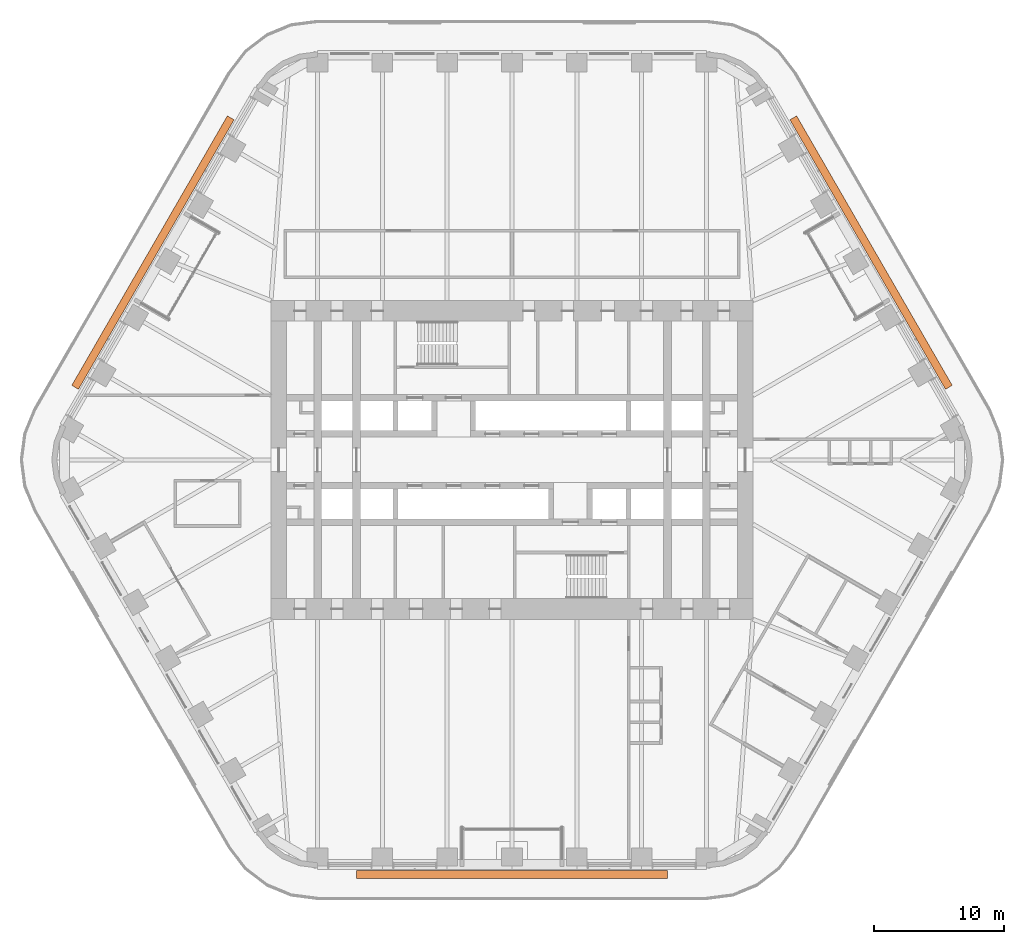
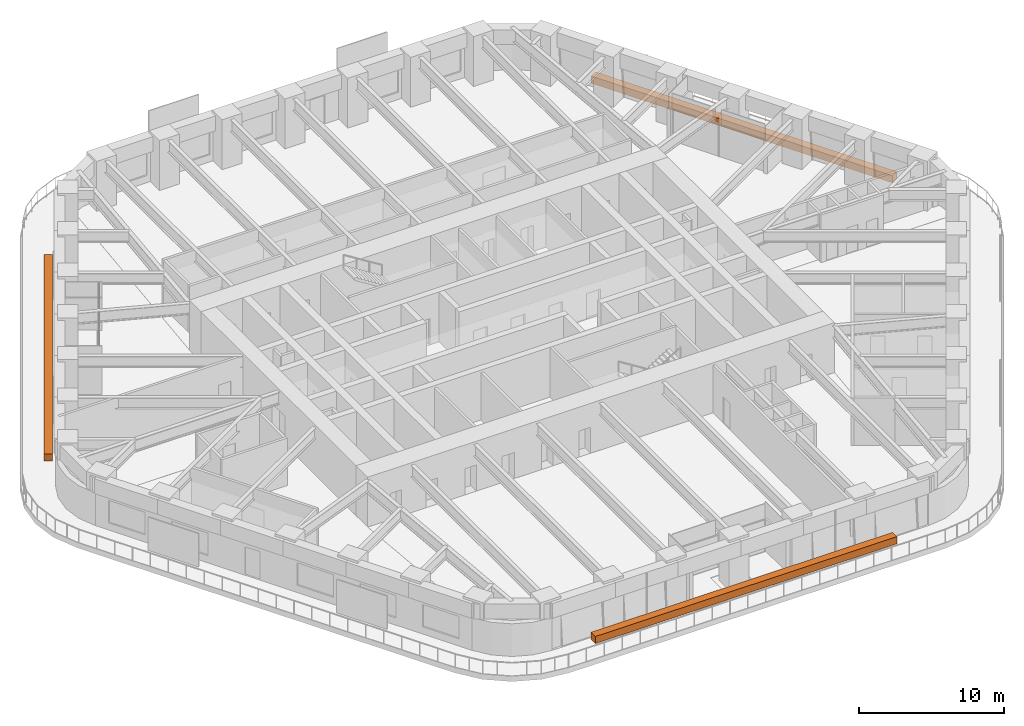
# One storey, part 24 of 24: 3 proxies.
"""IFC4 building model written with IfcOpenShell, lengths in metres."""

from ifc_helpers import new_model, si_unit, direction, frame, origin, origin_2d, place, context, subcontext, project, spatial, rectangle, extrude, material, element, save


model = new_model("IFC4")

# Units and contexts
model_context = context("Model", 3, precision=1e-05, world=origin(), true_north=direction((0.0, 1.0)))
body_context = subcontext(model_context, "Body", "Model", "MODEL_VIEW")
ifc_project = project(units=[si_unit("LENGTHUNIT", "METRE"), si_unit("AREAUNIT", "SQUARE_METRE"), si_unit("VOLUMEUNIT", "CUBIC_METRE"), si_unit("PLANEANGLEUNIT", "RADIAN"), si_unit("MASSUNIT", "GRAM", prefix="KILO")], contexts=[model_context])

# Site, building, storey
site_placement = place(None, origin())
site = spatial("IfcSite", under=ifc_project, at=site_placement, CompositionType="ELEMENT")
building_placement = place(site_placement, origin())
building = spatial("IfcBuilding", under=site, at=building_placement, Name="Tarfa Lantern Tower", CompositionType="ELEMENT")
storey_placement = place(building_placement, frame((0.0, 0.0, 169.89990234375)))
storey = spatial("IfcBuildingStorey", under=building, at=storey_placement, Name="L38", CompositionType="ELEMENT", Elevation=169.89990234375)

# Proxies
ifc_material = material(Name="Planting bed")
for number, where, z_axis, x_axis, name in (
    (1, (27.712890625, 16.0, 0.0), (0.0, 0.0, 1.0), (-0.5, 0.866025403784, 0.0), "Balcony planter"),
    (2, (-27.712890625, 16.0, 0.0), (0.0, 0.0, 1.0), (-0.5, -0.866025403784, 0.0), "Balcony planter"),
    (3, (0.0, -32.0, 0.0), (0.0, 0.0, 1.0), (1.0, 0.0, 0.0), "Balcony planter"),
):
    element("IfcBuildingElementProxy", number, at=place(storey_placement, frame(where, z_axis=z_axis, x_axis=x_axis)), inside=storey, material=ifc_material, Name=name, ObjectType="PLANTER", PredefinedType="USERDEFINED", context=body_context, shape_type="SweptSolid", body=[
        extrude(rectangle(XDim=24.017822265625, YDim=0.60009765625, at=origin_2d()), origin(), (0.0, 0.0, 1.0), 0.60009765625),
    ])

save(model, "model.ifc")
